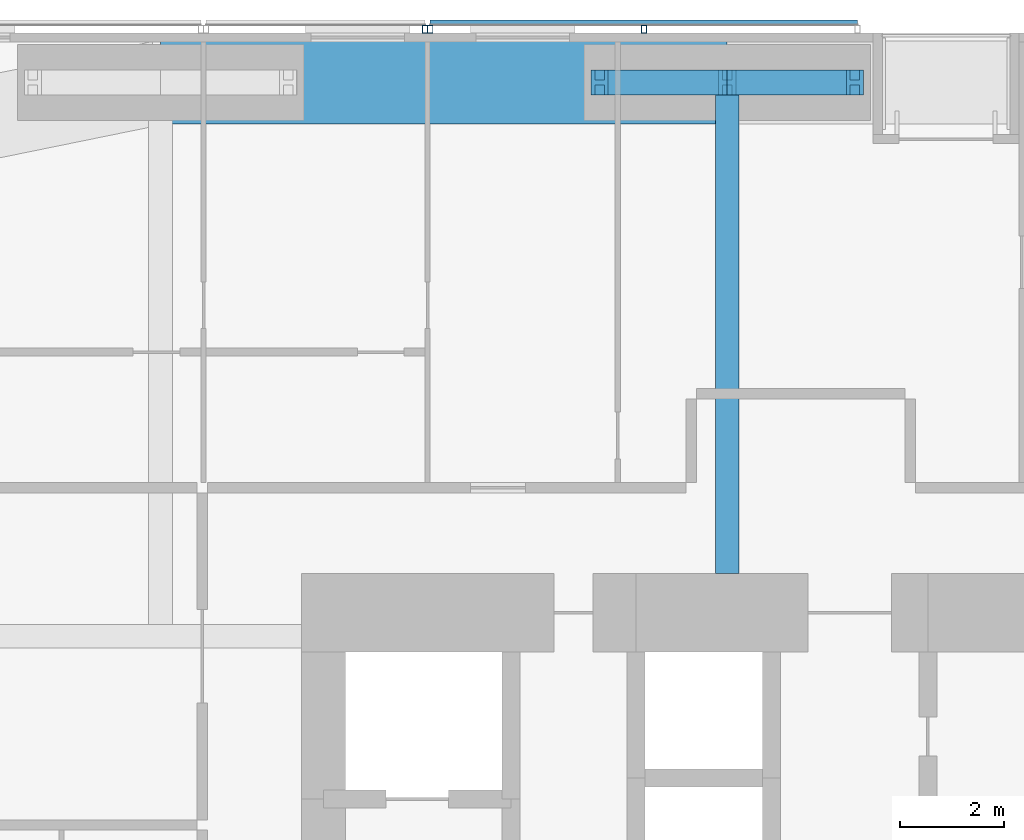
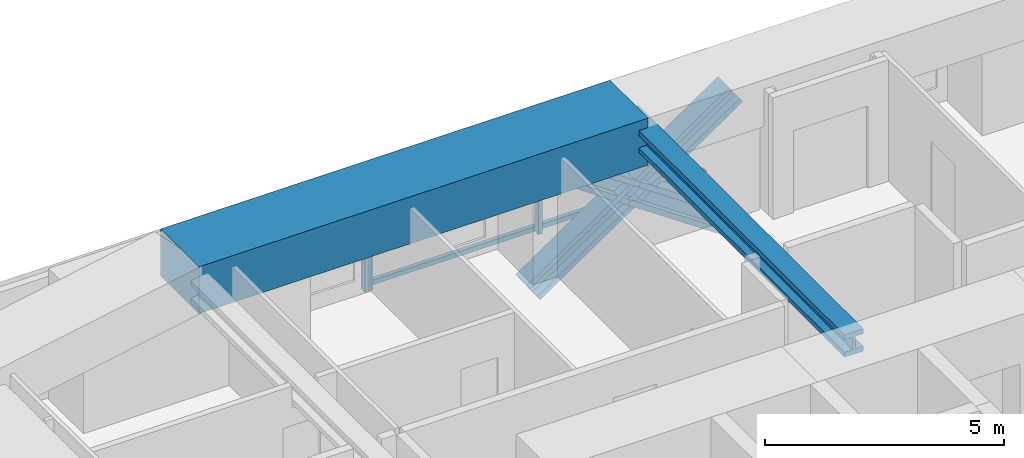
# One storey, part 12 of 23: 8 members, 2 beams, 2 elements without a shape of their own.
"""IFC4 building model written with IfcOpenShell, lengths in metres."""

from ifc_helpers import new_model, si_unit, direction, frame, origin, origin_2d, place, context, subcontext, project, spatial, rectangle, hollow_rectangle, i_section, extrude, material, material_profile, profile_set, type_object, element, aggregate, save


model = new_model("IFC4")

# Units and contexts
model_context = context("Model", 3, precision=1e-05, world=origin(), true_north=direction((0.0, 1.0)))
body_context = subcontext(model_context, "Body", "Model", "MODEL_VIEW")
ifc_project = project(units=[si_unit("LENGTHUNIT", "METRE"), si_unit("AREAUNIT", "SQUARE_METRE"), si_unit("VOLUMEUNIT", "CUBIC_METRE"), si_unit("PLANEANGLEUNIT", "RADIAN"), si_unit("MASSUNIT", "GRAM", prefix="KILO")], contexts=[model_context])

# Site, building, storey
site_placement = place(None, origin())
site = spatial("IfcSite", under=ifc_project, at=site_placement, CompositionType="ELEMENT")
building_placement = place(site_placement, origin())
building = spatial("IfcBuilding", under=site, at=building_placement, Name="Jalousie Tower", CompositionType="ELEMENT")
storey_placement = place(building_placement, frame((0.0, 0.0, 104.85009765625)))
storey = spatial("IfcBuildingStorey", under=building, at=storey_placement, Name="L28", CompositionType="ELEMENT", Elevation=104.85009765625)

# Beam
ifc_material_1 = material(Name="Steel ASTM A992 Grade 50", Category="steel")
ifc_material_profile_1 = material_profile(ifc_material_1, i_section(OverallWidth=0.45458984375, OverallDepth=0.569091796875, WebThickness=0.077880859375, FlangeThickness=0.124755859375, at=origin_2d()), Name="W14X730")
ifc_profile_set_1 = profile_set([ifc_material_profile_1], Name="Steel ASTM A992 Grade 50")
beam_type_1 = type_object("IfcBeamType", Name="LEAN COLLECTOR W14X730", PredefinedType="BEAM", material=ifc_profile_set_1)
beam_1_placement = place(storey_placement, frame((27.75, 37.050048828125, 2.825439453125), z_axis=(0.0, -1.0, 0.0), x_axis=(1.0, 0.0, 0.0)))
element("IfcBeam", 1, at=beam_1_placement, inside=storey, type_object=beam_type_1, Name="Lean collector under L29", PredefinedType="BEAM", context=body_context, shape_type="SweptSolid", body=[
    extrude(i_section(OverallWidth=0.45458984375, OverallDepth=0.569091796875, WebThickness=0.077880859375, FlangeThickness=0.124755859375, at=origin_2d()), origin(), (0.0, 0.0, 1.0), 9.425048828125),
])

# Members
ifc_material_2 = material(Name="Steel ASTM A992 Grade 50", Category="steel")
ifc_material_profile_2 = material_profile(ifc_material_2, i_section(OverallWidth=0.472412109375, OverallDepth=0.5791015625, WebThickness=0.094970703125, FlangeThickness=0.1298828125, at=origin_2d()), Name="W14X808")
ifc_profile_set_2 = profile_set([ifc_material_profile_2], Name="Steel ASTM A992 Grade 50")
member_type_1 = type_object("IfcMemberType", Name="PERIMETER BRACE W14X808", PredefinedType="BRACE", material=ifc_profile_set_2)
for number, where, z_axis, x_axis, name in (
    (2, (25.300048828125, 37.050048828125, -0.60009765625), (0.825500916831, 0.0, 0.564400776321), (0.0, 1.0, 0.0), "Perimeter brace 10 L28 part 1"),
    (3, (27.75, 37.050048828125, 1.074951171875), (0.825500916831, 0.0, 0.564400776321), (0.0, 1.0, 0.0), "Perimeter brace 10 L28 part 2"),
    (4, (30.199951171875, 37.050048828125, -0.60009765625), (-0.825500916831, 0.0, 0.564400776321), (0.0, -1.0, 0.0), "Perimeter brace 10 L28 part 3"),
    (5, (27.75, 37.050048828125, 1.074951171875), (-0.825500916831, 0.0, 0.564400776321), (0.0, -1.0, 0.0), "Perimeter brace 10 L28 part 4"),
):
    element("IfcMember", number, at=place(storey_placement, frame(where, z_axis=z_axis, x_axis=x_axis)), inside=storey, type_object=member_type_1, Name=name, PredefinedType="BRACE", context=body_context, shape_type="SweptSolid", body=[
        extrude(i_section(OverallWidth=0.472412109375, OverallDepth=0.5791015625, WebThickness=0.094970703125, FlangeThickness=0.1298828125, at=origin_2d()), origin(), (0.0, 0.0, 1.0), 2.9677734375),
    ])

# Beam
ifc_material_3 = material(Name="Concrete f'c 40 MPa", Category="concrete")
ifc_material_profile_3 = material_profile(ifc_material_3, rectangle(XDim=1.60009765625, YDim=1.199951171875, at=origin_2d()), Name="RC 1600x1200")
ifc_profile_set_3 = profile_set([ifc_material_profile_3], Name="Concrete f'c 40 MPa")
beam_type_2 = type_object("IfcBeamType", Name="RC BEAM 1600x1200", PredefinedType="BEAM", material=ifc_profile_set_3)
beam_2_placement = place(storey_placement, frame((27.75, 37.050048828125, 2.75), z_axis=(-1.0, 0.0, 0.0), x_axis=(0.0, -1.0, 0.0)))
element("IfcBeam", 6, at=beam_2_placement, inside=storey, type_object=beam_type_2, Name="Edge band beam 10-11 under L29", PredefinedType="BEAM", context=body_context, shape_type="SweptSolid", body=[
    extrude(rectangle(XDim=1.60009765625, YDim=1.199951171875, at=origin_2d()), origin(), (0.0, 0.0, 1.0), 10.875),
])

# Curtain wall, members
ifc_material_4 = material(Name="Perforated aluminium sheet", Category="aluminium")
curtain_wall_type = type_object("IfcCurtainWallType", Name="SOLAR SCREEN SS-1", PredefinedType="USERDEFINED", material=ifc_material_4)
curtain_wall_1_placement = place(storey_placement, origin())
curtain_wall_1 = element("IfcCurtainWall", 7, at=curtain_wall_1_placement, inside=storey, type_object=curtain_wall_type, Name="Solar screen L28", ObjectType="SOLAR SCREEN SS-1", PredefinedType="USERDEFINED")
ifc_material_5 = material(Name="Steel ASTM A500 Grade C", Category="steel")
ifc_material_profile_4 = material_profile(ifc_material_5, hollow_rectangle(XDim=0.1015625, YDim=0.15234375, WallThickness=0.00634765625, at=origin_2d()), Name="HSS6X4X1/4")
ifc_profile_set_4 = profile_set([ifc_material_profile_4], Name="Steel ASTM A500 Grade C")
member_type_2 = type_object("IfcMemberType", Name="SOLAR SCREEN SS-1 MULLION", PredefinedType="MULLION", material=ifc_profile_set_4)
member_1_placement = place(storey_placement, frame((26.150390625, 38.0712890625, -0.1201171875), z_axis=(0.0, 0.0, 1.0), x_axis=(-1.0, 0.0, 0.0)))
member_1 = element("IfcMember", 8, at=member_1_placement, type_object=member_type_2, Name="SS1 post 2", PredefinedType="MULLION", context=body_context, shape_type="SweptSolid", body=[
    extrude(hollow_rectangle(XDim=0.1015625, YDim=0.15234375, WallThickness=0.00634765625, at=origin_2d()), origin(), (0.0, 0.0, 1.0), 3.22998046875),
])
member_2_placement = place(storey_placement, frame((22.050048828125, 38.0712890625, -0.1201171875), z_axis=(0.0, 0.0, 1.0), x_axis=(-1.0, 0.0, 0.0)))
member_2 = element("IfcMember", 9, at=member_2_placement, type_object=member_type_2, Name="SS1 post 3", PredefinedType="MULLION", context=body_context, shape_type="SweptSolid", body=[
    extrude(hollow_rectangle(XDim=0.1015625, YDim=0.15234375, WallThickness=0.00634765625, at=origin_2d()), origin(), (0.0, 0.0, 1.0), 3.22998046875),
])

# Curtain wall, member
curtain_wall_2_placement = place(storey_placement, origin())
curtain_wall_2 = element("IfcCurtainWall", 10, at=curtain_wall_2_placement, inside=storey, type_object=curtain_wall_type, Name="Solar screen L28", ObjectType="SOLAR SCREEN SS-1", PredefinedType="USERDEFINED")
member_3_placement = place(storey_placement, frame((21.949951171875, 38.0712890625, -0.1201171875), z_axis=(0.0, 0.0, 1.0), x_axis=(-1.0, 0.0, 0.0)))
member_3 = element("IfcMember", 11, at=member_3_placement, type_object=member_type_2, Name="SS1 post 1", PredefinedType="MULLION", context=body_context, shape_type="SweptSolid", body=[
    extrude(hollow_rectangle(XDim=0.1015625, YDim=0.15234375, WallThickness=0.00634765625, at=origin_2d()), origin(), (0.0, 0.0, 1.0), 3.22998046875),
])
aggregate(curtain_wall_2, [member_3])

# Member
ifc_material_6 = material(Name="Extruded aluminium screen rail", Category="aluminium")
ifc_material_profile_5 = material_profile(ifc_material_6, rectangle(XDim=0.1015625, YDim=0.1201171875, at=origin_2d()), Name="RAIL 102x120")
ifc_profile_set_5 = profile_set([ifc_material_profile_5], Name="Extruded aluminium screen rail")
member_type_3 = type_object("IfcMemberType", Name="SOLAR SCREEN SS-1 TRANSOM", PredefinedType="USERDEFINED", material=ifc_profile_set_5)
member_4_placement = place(storey_placement, frame((30.25048828125, 38.1982421875, -0.06005859375), z_axis=(-1.0, 0.0, 0.0), x_axis=(0.0, -1.0, 0.0)))
member_4 = element("IfcMember", 12, at=member_4_placement, type_object=member_type_3, Name="SS1 rail", ObjectType="TRANSOM", PredefinedType="USERDEFINED", context=body_context, shape_type="SweptSolid", body=[
    extrude(rectangle(XDim=0.1015625, YDim=0.1201171875, at=origin_2d()), origin(), (0.0, 0.0, 1.0), 8.200439453125),
])

aggregate(curtain_wall_1, [member_1, member_2, member_4])

save(model, "model.ifc")
